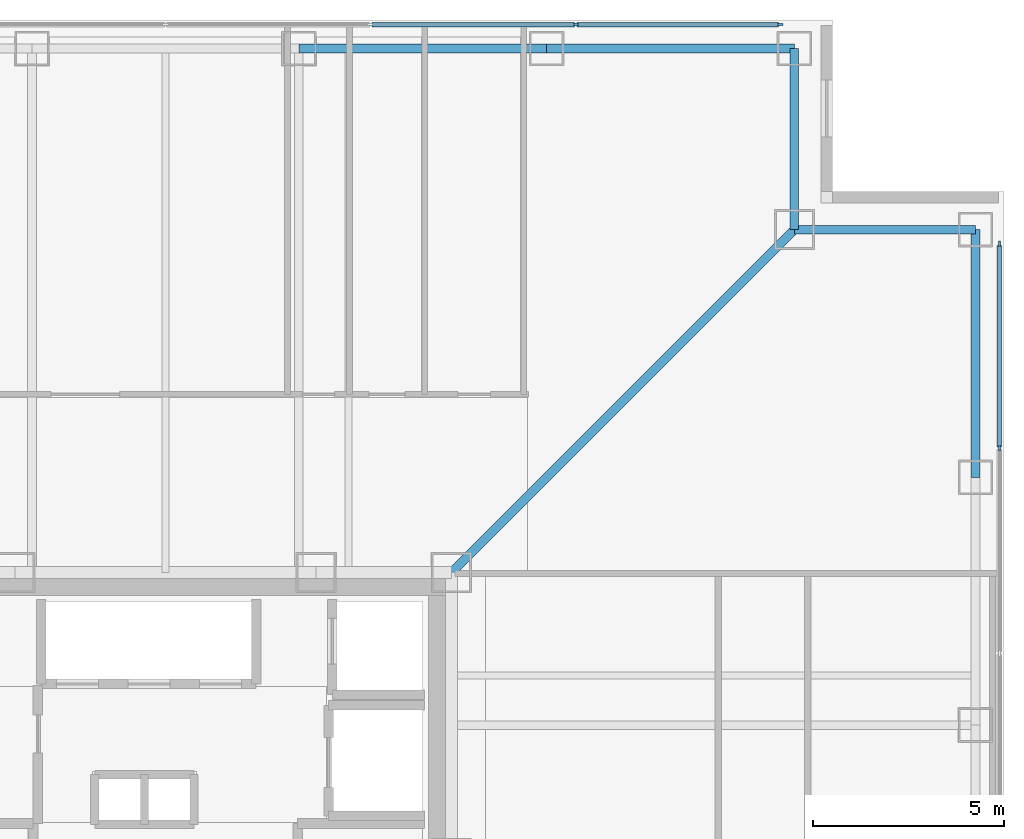
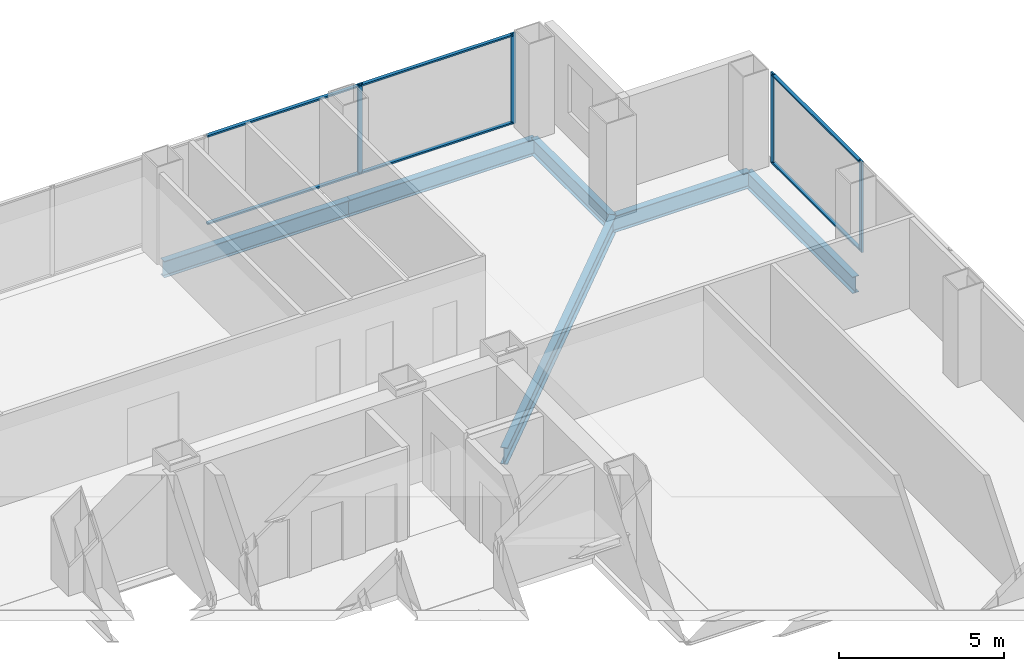
# One storey, part 8 of 14: 10 members, 6 beams, 2 elements without a shape of their own.
"""IFC4 building model written with IfcOpenShell, lengths in metres."""

from ifc_helpers import new_model, si_unit, direction, frame, origin, origin_2d, place, context, subcontext, project, spatial, rectangle, i_section, extrude, material, layer, layer_set, material_profile, profile_set, type_object, element, aggregate, save


model = new_model("IFC4")

# Units and contexts
model_context = context("Model", 3, precision=1e-05, world=origin(), true_north=direction((0.0, 1.0)))
body_context = subcontext(model_context, "Body", "Model", "MODEL_VIEW")
ifc_project = project(units=[si_unit("LENGTHUNIT", "METRE"), si_unit("AREAUNIT", "SQUARE_METRE"), si_unit("VOLUMEUNIT", "CUBIC_METRE"), si_unit("PLANEANGLEUNIT", "RADIAN"), si_unit("MASSUNIT", "GRAM", prefix="KILO")], contexts=[model_context])

# Site, building, storey
site_placement = place(None, origin())
site = spatial("IfcSite", under=ifc_project, at=site_placement, CompositionType="ELEMENT")
building_placement = place(site_placement, origin())
building = spatial("IfcBuilding", under=site, at=building_placement, Name="Trevonay Congress Spire", CompositionType="ELEMENT")
storey_placement = place(building_placement, frame((0.0, 0.0, 119.199951171875)))
storey = spatial("IfcBuildingStorey", under=building, at=storey_placement, Name="L30", CompositionType="ELEMENT", Elevation=119.199951171875)

# Beams
ifc_material_1 = material(Name="Steel ASTM A572 Grade 50", Category="steel")
ifc_material_profile_1 = material_profile(ifc_material_1, i_section(OverallWidth=0.22998046875, OverallDepth=0.616943359375, WebThickness=0.01318359375, FlangeThickness=0.022216796875, FilletRadius=0.01611328125, at=origin_2d()), Name="W610x140")
ifc_profile_set_1 = profile_set([ifc_material_profile_1], Name="Steel ASTM A572 Grade 50")
beam_type_1 = type_object("IfcBeamType", Name="BM-GIRD-W610X140", PredefinedType="BEAM", material=ifc_profile_set_1)
beam_placement = place(storey_placement, frame((7.5, 7.5, -0.54833984375), z_axis=(0.707106781187, 0.707106781187, 0.0), x_axis=(-0.707106781187, 0.707106781187, 0.0)))
element("IfcBeam", 1, at=beam_placement, inside=storey, type_object=beam_type_1, Name="L30 structural beam BM-L30-CDNE", PredefinedType="BEAM", context=body_context, shape_type="SweptSolid", body=[
    extrude(i_section(OverallWidth=0.22998046875, OverallDepth=0.616943359375, WebThickness=0.01318359375, FlangeThickness=0.022216796875, FilletRadius=0.01611328125, at=origin_2d()), origin(), (0.0, 0.0, 1.0), 12.72802734375),
])
ifc_material_profile_2 = material_profile(ifc_material_1, i_section(OverallWidth=0.22802734375, OverallDepth=0.60791015625, WebThickness=0.01123046875, FlangeThickness=0.017333984375, FilletRadius=0.01611328125, at=origin_2d()), Name="W610x113")
ifc_profile_set_2 = profile_set([ifc_material_profile_2], Name="Steel ASTM A572 Grade 50")
beam_type_2 = type_object("IfcBeamType", Name="BM-RING-W610X113", PredefinedType="BEAM", material=ifc_profile_set_2)
for number, where, z_axis, x_axis, name in (
    (2, (3.5, 21.25, -0.5439453125), (1.0, 0.0, 0.0), (0.0, 1.0, 0.0), "L30 structural beam BM-L30-PN4"),
    (3, (10.0, 21.25, -0.5439453125), (1.0, 0.0, 0.0), (0.0, 1.0, 0.0), "L30 structural beam BM-L30-PN5"),
    (4, (21.25, 10.0, -0.5439453125), (0.0, 1.0, 0.0), (-1.0, 0.0, 0.0), "L30 structural beam BM-L30-PE5"),
):
    element("IfcBeam", number, at=place(storey_placement, frame(where, z_axis=z_axis, x_axis=x_axis)), inside=storey, type_object=beam_type_2, Name=name, PredefinedType="BEAM", context=body_context, shape_type="SweptSolid", body=[
        extrude(i_section(OverallWidth=0.22802734375, OverallDepth=0.60791015625, WebThickness=0.01123046875, FlangeThickness=0.017333984375, FilletRadius=0.01611328125, at=origin_2d()), origin(), (0.0, 0.0, 1.0), 6.5),
    ])
for number, where, z_axis, x_axis, name in (
    (5, (16.5, 21.25, -0.5439453125), (0.0, -1.0, 0.0), (1.0, 0.0, 0.0), "L30 structural beam BM-L30-N1NE"),
    (6, (21.25, 16.5, -0.5439453125), (-1.0, 0.0, 0.0), (0.0, -1.0, 0.0), "L30 structural beam BM-L30-N2NE"),
):
    element("IfcBeam", number, at=place(storey_placement, frame(where, z_axis=z_axis, x_axis=x_axis)), inside=storey, type_object=beam_type_2, Name=name, PredefinedType="BEAM", context=body_context, shape_type="SweptSolid", body=[
        extrude(i_section(OverallWidth=0.22802734375, OverallDepth=0.60791015625, WebThickness=0.01123046875, FlangeThickness=0.017333984375, FilletRadius=0.01611328125, at=origin_2d()), origin(), (0.0, 0.0, 1.0), 4.75),
    ])

# Curtain wall, members
ifc_material_2 = material(Name="Pale Anodised Aluminium EN AW-6063-T6", Category="aluminium")
ifc_layer = layer(ifc_material_2, 0.175048828125, Name="Pale Anodised Aluminium EN AW-6063-T6")
ifc_layer_set = layer_set([ifc_layer], Name="Pale Anodised Aluminium EN AW-6063-T6")
curtain_wall_type = type_object("IfcCurtainWallType", Name="CW-SYS03-CONGRESS-PALE-METAL", PredefinedType="NOTDEFINED", material=ifc_layer_set)
curtain_wall_1_placement = place(storey_placement, origin())
curtain_wall_1 = element("IfcCurtainWall", 7, at=curtain_wall_1_placement, inside=storey, type_object=curtain_wall_type, Name="L30 N unitised curtain wall", PredefinedType="NOTDEFINED")
ifc_material_profile_3 = material_profile(ifc_material_2, rectangle(XDim=0.06005859375, YDim=0.159912109375, at=origin_2d()), Name="CW-MULLION-160-ALUMINIUM")
ifc_profile_set_3 = profile_set([ifc_material_profile_3], Name="Pale Anodised Aluminium EN AW-6063-T6")
member_type_1 = type_object("IfcMemberType", Name="CW-MULLION-160-ALUMINIUM", PredefinedType="MULLION", material=ifc_profile_set_3)
member_1_placement = place(storey_placement, frame((10.7666015625, 21.8798828125, 0.0), z_axis=(0.0, 0.0, 1.0), x_axis=(0.0, 1.0, 0.0)))
member_1 = element("IfcMember", 8, at=member_1_placement, type_object=member_type_1, Name="CW03 mullion 6", PredefinedType="MULLION", context=body_context, shape_type="SweptSolid", body=[
    extrude(rectangle(XDim=0.06005859375, YDim=0.159912109375, at=origin_2d()), origin(), (0.0, 0.0, 1.0), 3.360107421875),
])
member_2_placement = place(storey_placement, frame((16.1201171875, 21.8798828125, 0.0), z_axis=(0.0, 0.0, 1.0), x_axis=(0.0, 1.0, 0.0)))
member_2 = element("IfcMember", 9, at=member_2_placement, type_object=member_type_1, Name="CW03 mullion 7", PredefinedType="MULLION", context=body_context, shape_type="SweptSolid", body=[
    extrude(rectangle(XDim=0.06005859375, YDim=0.159912109375, at=origin_2d()), origin(), (0.0, 0.0, 1.0), 3.360107421875),
])

curtain_wall_2_placement = place(storey_placement, origin())
curtain_wall_2 = element("IfcCurtainWall", 10, at=curtain_wall_2_placement, inside=storey, type_object=curtain_wall_type, Name="L30 E unitised curtain wall", PredefinedType="NOTDEFINED")
member_3_placement = place(storey_placement, frame((21.8798828125, 10.7666015625, 0.0), z_axis=(0.0, 0.0, 1.0), x_axis=(-1.0, 0.0, 0.0)))
member_3 = element("IfcMember", 11, at=member_3_placement, type_object=member_type_1, Name="CW03 mullion 6", PredefinedType="MULLION", context=body_context, shape_type="SweptSolid", body=[
    extrude(rectangle(XDim=0.06005859375, YDim=0.159912109375, at=origin_2d()), origin(), (0.0, 0.0, 1.0), 3.360107421875),
])
member_4_placement = place(storey_placement, frame((21.8798828125, 16.1201171875, 0.0), z_axis=(0.0, 0.0, 1.0), x_axis=(-1.0, 0.0, 0.0)))
member_4 = element("IfcMember", 12, at=member_4_placement, type_object=member_type_1, Name="CW03 mullion 7", PredefinedType="MULLION", context=body_context, shape_type="SweptSolid", body=[
    extrude(rectangle(XDim=0.06005859375, YDim=0.159912109375, at=origin_2d()), origin(), (0.0, 0.0, 1.0), 3.360107421875),
])

# Member
ifc_material_profile_4 = material_profile(ifc_material_2, rectangle(XDim=0.1201171875, YDim=0.06005859375, at=origin_2d()), Name="CW-TRANSOM-120-ALUMINIUM")
ifc_profile_set_4 = profile_set([ifc_material_profile_4], Name="Pale Anodised Aluminium EN AW-6063-T6")
member_type_2 = type_object("IfcMemberType", Name="CW-TRANSOM-120-ALUMINIUM", PredefinedType="USERDEFINED", material=ifc_profile_set_4)
member_5_placement = place(storey_placement, frame((5.413330078125, 21.8798828125, 0.06005859375), z_axis=(1.0, 0.0, 0.0), x_axis=(0.0, 1.0, 0.0)))
member_5 = element("IfcMember", 13, at=member_5_placement, type_object=member_type_2, Name="CW03 transom 5.1", ObjectType="TRANSOM", PredefinedType="USERDEFINED", context=body_context, shape_type="SweptSolid", body=[
    extrude(rectangle(XDim=0.1201171875, YDim=0.06005859375, at=origin_2d()), origin(), (0.0, 0.0, 1.0), 5.3232421875),
])

member_6_placement = place(storey_placement, frame((5.413330078125, 21.8798828125, 3.300048828125), z_axis=(1.0, 0.0, 0.0), x_axis=(0.0, 1.0, 0.0)))
member_6 = element("IfcMember", 14, at=member_6_placement, type_object=member_type_2, Name="CW03 transom 5.2", ObjectType="TRANSOM", PredefinedType="USERDEFINED", context=body_context, shape_type="SweptSolid", body=[
    extrude(rectangle(XDim=0.1201171875, YDim=0.06005859375, at=origin_2d()), origin(), (0.0, 0.0, 1.0), 5.3232421875),
])

member_7_placement = place(storey_placement, frame((10.796630859375, 21.8798828125, 0.06005859375), z_axis=(1.0, 0.0, 0.0), x_axis=(0.0, 1.0, 0.0)))
member_7 = element("IfcMember", 15, at=member_7_placement, type_object=member_type_2, Name="CW03 transom 6.1", ObjectType="TRANSOM", PredefinedType="USERDEFINED", context=body_context, shape_type="SweptSolid", body=[
    extrude(rectangle(XDim=0.1201171875, YDim=0.06005859375, at=origin_2d()), origin(), (0.0, 0.0, 1.0), 5.29345703125),
])

member_8_placement = place(storey_placement, frame((10.796630859375, 21.8798828125, 3.300048828125), z_axis=(1.0, 0.0, 0.0), x_axis=(0.0, 1.0, 0.0)))
member_8 = element("IfcMember", 16, at=member_8_placement, type_object=member_type_2, Name="CW03 transom 6.2", ObjectType="TRANSOM", PredefinedType="USERDEFINED", context=body_context, shape_type="SweptSolid", body=[
    extrude(rectangle(XDim=0.1201171875, YDim=0.06005859375, at=origin_2d()), origin(), (0.0, 0.0, 1.0), 5.29345703125),
])

aggregate(curtain_wall_1, [member_1, member_2, member_5, member_6, member_7, member_8])

member_9_placement = place(storey_placement, frame((21.8798828125, 10.796630859375, 0.06005859375), z_axis=(0.0, 1.0, 0.0), x_axis=(-1.0, 0.0, 0.0)))
member_9 = element("IfcMember", 17, at=member_9_placement, type_object=member_type_2, Name="CW03 transom 6.1", ObjectType="TRANSOM", PredefinedType="USERDEFINED", context=body_context, shape_type="SweptSolid", body=[
    extrude(rectangle(XDim=0.1201171875, YDim=0.06005859375, at=origin_2d()), origin(), (0.0, 0.0, 1.0), 5.29345703125),
])

member_10_placement = place(storey_placement, frame((21.8798828125, 10.796630859375, 3.300048828125), z_axis=(0.0, 1.0, 0.0), x_axis=(-1.0, 0.0, 0.0)))
member_10 = element("IfcMember", 18, at=member_10_placement, type_object=member_type_2, Name="CW03 transom 6.2", ObjectType="TRANSOM", PredefinedType="USERDEFINED", context=body_context, shape_type="SweptSolid", body=[
    extrude(rectangle(XDim=0.1201171875, YDim=0.06005859375, at=origin_2d()), origin(), (0.0, 0.0, 1.0), 5.29345703125),
])

aggregate(curtain_wall_2, [member_3, member_4, member_9, member_10])

save(model, "model.ifc")
